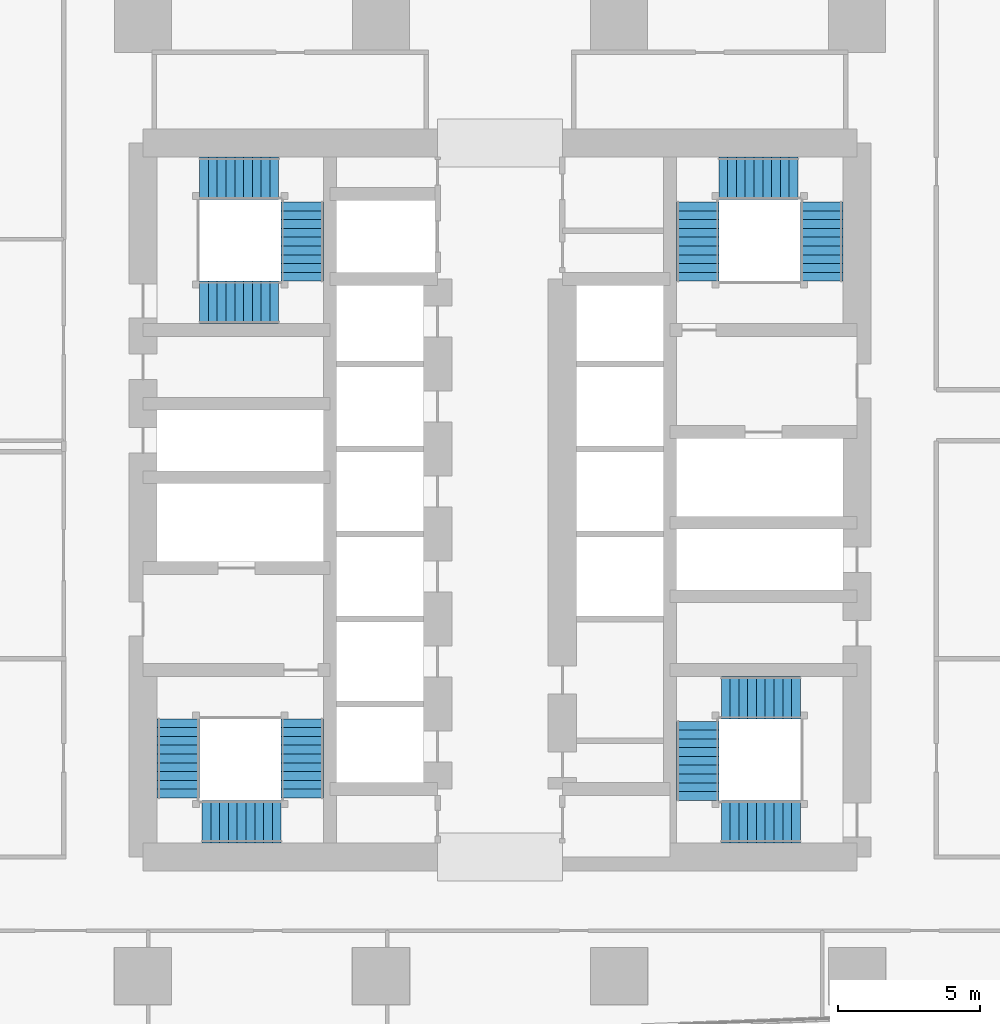
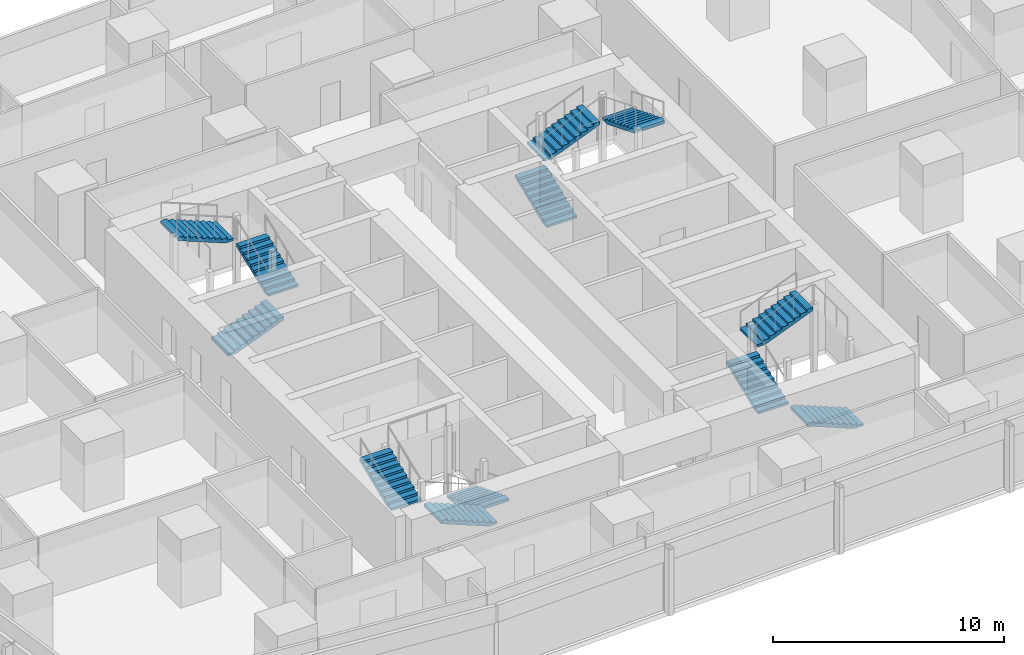
# One storey, part 32 of 39: 12 stair flights, 4 elements without a shape of their own.
"""IFC4 building model written with IfcOpenShell, lengths in metres."""

from ifc_helpers import new_model, si_unit, direction, frame, origin, place, context, subcontext, project, spatial, polyline, outline, extrude, material, type_object, element, aggregate, save


model = new_model("IFC4")

# Units and contexts
model_context = context("Model", 3, precision=1e-05, world=origin(), true_north=direction((0.0, 1.0)))
body_context = subcontext(model_context, "Body", "Model", "MODEL_VIEW")
ifc_project = project(units=[si_unit("LENGTHUNIT", "METRE"), si_unit("AREAUNIT", "SQUARE_METRE"), si_unit("VOLUMEUNIT", "CUBIC_METRE"), si_unit("PLANEANGLEUNIT", "RADIAN"), si_unit("MASSUNIT", "GRAM", prefix="KILO")], contexts=[model_context])

# Site, building, storey
site_placement = place(None, origin())
site = spatial("IfcSite", under=ifc_project, at=site_placement, CompositionType="ELEMENT")
building_placement = place(site_placement, origin())
building = spatial("IfcBuilding", under=site, at=building_placement, Name="Rekha Terrace Tower", CompositionType="ELEMENT")
storey_placement = place(building_placement, frame((0.0, 0.0, 151.550048828125)))
storey = spatial("IfcBuildingStorey", under=building, at=storey_placement, Name="L38", CompositionType="ELEMENT", Elevation=151.550048828125)

# Stair, stair flights
ifc_material = material(Name="Concrete M40", Category="concrete")
stair_type = type_object("IfcStairType", Name="ST30 stair, 30 risers of 125, going 310, 1500 wide flights, 3 flights", PredefinedType="HALF_TURN_STAIR", material=ifc_material)
stair_1_placement = place(storey_placement, origin())
stair_1 = element("IfcStair", 1, at=stair_1_placement, inside=storey, type_object=stair_type, Name="Stair ST1 L38 to L39", PredefinedType="HALF_TURN_STAIR")
stair_flight_type = type_object("IfcStairFlightType", Name="SF10 stair flight, 10 risers of 125, going 310, 1500 wide", PredefinedType="STRAIGHT", material=ifc_material)
stair_flight_1_placement = place(storey_placement, frame((30.824951171875, 25.875, 0.0), z_axis=(0.0, 0.0, 1.0), x_axis=(0.0, -1.0, 0.0)))
stair_flight_1 = element("IfcStairFlight", 2, at=stair_flight_1_placement, type_object=stair_flight_type, Name="ST1 flight 1", NumberOfRisers=10, NumberOfTreads=9, PredefinedType="STRAIGHT", RiserHeight=0.125, TreadLength=0.31, context=body_context, shape_type="SweptSolid", body=[
    extrude(outline(polyline([(0.0, 0.0), (0.0, 0.125), (0.31005859375, 0.125), (0.31005859375, 0.25), (0.6201171875, 0.25), (0.6201171875, 0.375), (0.929931640625, 0.375), (0.929931640625, 0.5), (1.239990234375, 0.5), (1.239990234375, 0.625), (1.550048828125, 0.625), (1.550048828125, 0.75), (1.860107421875, 0.75), (1.860107421875, 0.875), (2.169921875, 0.875), (2.169921875, 1.0), (2.47998046875, 1.0), (2.47998046875, 1.125), (2.7900390625, 1.125), (2.7900390625, 1.25), (2.7900390625, 0.96337890625), (0.40087890625, 0.0), (0.0, 0.0)])), frame((0.0, 0.75, 0.0), z_axis=(0.0, -1.0, 0.0), x_axis=(1.0, 0.0, 0.0)), (0.0, 0.0, 1.0), 1.5),
])
stair_flight_2_placement = place(storey_placement, frame((30.074951171875, 22.25, 1.25), z_axis=(0.0, 0.0, 1.0), x_axis=(-1.0, 0.0, 0.0)))
stair_flight_2 = element("IfcStairFlight", 3, at=stair_flight_2_placement, type_object=stair_flight_type, Name="ST1 flight 2", NumberOfRisers=10, NumberOfTreads=9, PredefinedType="STRAIGHT", RiserHeight=0.125, TreadLength=0.31, context=body_context, shape_type="SweptSolid", body=[
    extrude(outline(polyline([(0.0, 0.0), (0.0, 0.125), (0.31005859375, 0.125), (0.31005859375, 0.25), (0.6201171875, 0.25), (0.6201171875, 0.375), (0.929931640625, 0.375), (0.929931640625, 0.5), (1.239990234375, 0.5), (1.239990234375, 0.625), (1.550048828125, 0.625), (1.550048828125, 0.75), (1.860107421875, 0.75), (1.860107421875, 0.875), (2.169921875, 0.875), (2.169921875, 1.0), (2.47998046875, 1.0), (2.47998046875, 1.125), (2.7900390625, 1.125), (2.7900390625, 1.25), (2.7900390625, 0.96337890625), (0.40087890625, 0.0), (0.0, 0.0)])), frame((0.0, 0.75, 0.0), z_axis=(0.0, -1.0, 0.0), x_axis=(1.0, 0.0, 0.0)), (0.0, 0.0, 1.0), 1.5),
])
stair_flight_3_placement = place(storey_placement, frame((26.449951171875, 23.0849609375, 2.5), z_axis=(0.0, 0.0, 1.0), x_axis=(0.0, 1.0, 0.0)))
stair_flight_3 = element("IfcStairFlight", 4, at=stair_flight_3_placement, type_object=stair_flight_type, Name="ST1 flight 3", NumberOfRisers=10, NumberOfTreads=9, PredefinedType="STRAIGHT", RiserHeight=0.125, TreadLength=0.31, context=body_context, shape_type="SweptSolid", body=[
    extrude(outline(polyline([(0.0, 0.0), (0.0, 0.125), (0.31005859375, 0.125), (0.31005859375, 0.25), (0.6201171875, 0.25), (0.6201171875, 0.375), (0.929931640625, 0.375), (0.929931640625, 0.5), (1.239990234375, 0.5), (1.239990234375, 0.625), (1.550048828125, 0.625), (1.550048828125, 0.75), (1.860107421875, 0.75), (1.860107421875, 0.875), (2.169921875, 0.875), (2.169921875, 1.0), (2.47998046875, 1.0), (2.47998046875, 1.125), (2.7900390625, 1.125), (2.7900390625, 1.25), (2.7900390625, 0.96337890625), (0.40087890625, 0.0), (0.0, 0.0)])), frame((0.0, 0.75, 0.0), z_axis=(0.0, -1.0, 0.0), x_axis=(1.0, 0.0, 0.0)), (0.0, 0.0, 1.0), 1.5),
])
aggregate(stair_1, [stair_flight_1, stair_flight_2, stair_flight_3])

stair_2_placement = place(storey_placement, origin())
stair_2 = element("IfcStair", 5, at=stair_2_placement, inside=storey, type_object=stair_type, Name="Stair ST2 L38 to L39", PredefinedType="HALF_TURN_STAIR")
stair_flight_4_placement = place(storey_placement, frame((44.77490234375, 41.324951171875, 0.0), z_axis=(0.0, 0.0, 1.0), x_axis=(0.0, 1.0, 0.0)))
stair_flight_4 = element("IfcStairFlight", 6, at=stair_flight_4_placement, type_object=stair_flight_type, Name="ST2 flight 1", NumberOfRisers=10, NumberOfTreads=9, PredefinedType="STRAIGHT", RiserHeight=0.125, TreadLength=0.31, context=body_context, shape_type="SweptSolid", body=[
    extrude(outline(polyline([(0.0, 0.0), (0.0, 0.125), (0.31005859375, 0.125), (0.31005859375, 0.25), (0.6201171875, 0.25), (0.6201171875, 0.375), (0.929931640625, 0.375), (0.929931640625, 0.5), (1.239990234375, 0.5), (1.239990234375, 0.625), (1.550048828125, 0.625), (1.550048828125, 0.75), (1.860107421875, 0.75), (1.860107421875, 0.875), (2.169921875, 0.875), (2.169921875, 1.0), (2.47998046875, 1.0), (2.47998046875, 1.125), (2.7900390625, 1.125), (2.7900390625, 1.25), (2.7900390625, 0.96337890625), (0.40087890625, 0.0), (0.0, 0.0)])), frame((0.0, 0.75, 0.0), z_axis=(0.0, -1.0, 0.0), x_axis=(1.0, 0.0, 0.0)), (0.0, 0.0, 1.0), 1.5),
])
stair_flight_5_placement = place(storey_placement, frame((45.52490234375, 44.949951171875, 1.25), z_axis=(0.0, 0.0, 1.0), x_axis=(1.0, 0.0, 0.0)))
stair_flight_5 = element("IfcStairFlight", 7, at=stair_flight_5_placement, type_object=stair_flight_type, Name="ST2 flight 2", NumberOfRisers=10, NumberOfTreads=9, PredefinedType="STRAIGHT", RiserHeight=0.125, TreadLength=0.31, context=body_context, shape_type="SweptSolid", body=[
    extrude(outline(polyline([(0.0, 0.0), (0.0, 0.125), (0.31005859375, 0.125), (0.31005859375, 0.25), (0.6201171875, 0.25), (0.6201171875, 0.375), (0.929931640625, 0.375), (0.929931640625, 0.5), (1.239990234375, 0.5), (1.239990234375, 0.625), (1.550048828125, 0.625), (1.550048828125, 0.75), (1.860107421875, 0.75), (1.860107421875, 0.875), (2.169921875, 0.875), (2.169921875, 1.0), (2.47998046875, 1.0), (2.47998046875, 1.125), (2.7900390625, 1.125), (2.7900390625, 1.25), (2.7900390625, 0.96337890625), (0.40087890625, 0.0), (0.0, 0.0)])), frame((0.0, 0.75, 0.0), z_axis=(0.0, -1.0, 0.0), x_axis=(1.0, 0.0, 0.0)), (0.0, 0.0, 1.0), 1.5),
])
stair_flight_6_placement = place(storey_placement, frame((49.14990234375, 44.114990234375, 2.5), z_axis=(0.0, 0.0, 1.0), x_axis=(0.0, -1.0, 0.0)))
stair_flight_6 = element("IfcStairFlight", 8, at=stair_flight_6_placement, type_object=stair_flight_type, Name="ST2 flight 3", NumberOfRisers=10, NumberOfTreads=9, PredefinedType="STRAIGHT", RiserHeight=0.125, TreadLength=0.31, context=body_context, shape_type="SweptSolid", body=[
    extrude(outline(polyline([(0.0, 0.0), (0.0, 0.125), (0.31005859375, 0.125), (0.31005859375, 0.25), (0.6201171875, 0.25), (0.6201171875, 0.375), (0.929931640625, 0.375), (0.929931640625, 0.5), (1.239990234375, 0.5), (1.239990234375, 0.625), (1.550048828125, 0.625), (1.550048828125, 0.75), (1.860107421875, 0.75), (1.860107421875, 0.875), (2.169921875, 0.875), (2.169921875, 1.0), (2.47998046875, 1.0), (2.47998046875, 1.125), (2.7900390625, 1.125), (2.7900390625, 1.25), (2.7900390625, 0.96337890625), (0.40087890625, 0.0), (0.0, 0.0)])), frame((0.0, 0.75, 0.0), z_axis=(0.0, -1.0, 0.0), x_axis=(1.0, 0.0, 0.0)), (0.0, 0.0, 1.0), 1.5),
])
aggregate(stair_2, [stair_flight_4, stair_flight_5, stair_flight_6])

stair_3_placement = place(storey_placement, origin())
stair_3 = element("IfcStair", 9, at=stair_3_placement, inside=storey, type_object=stair_type, Name="Stair ST3 L38 to L39", PredefinedType="HALF_TURN_STAIR")
stair_flight_7_placement = place(storey_placement, frame((48.39990234375, 22.25, 0.0), z_axis=(0.0, 0.0, 1.0), x_axis=(-1.0, 0.0, 0.0)))
stair_flight_7 = element("IfcStairFlight", 10, at=stair_flight_7_placement, type_object=stair_flight_type, Name="ST3 flight 1", NumberOfRisers=10, NumberOfTreads=9, PredefinedType="STRAIGHT", RiserHeight=0.125, TreadLength=0.31, context=body_context, shape_type="SweptSolid", body=[
    extrude(outline(polyline([(0.0, 0.0), (0.0, 0.125), (0.31005859375, 0.125), (0.31005859375, 0.25), (0.6201171875, 0.25), (0.6201171875, 0.375), (0.929931640625, 0.375), (0.929931640625, 0.5), (1.239990234375, 0.5), (1.239990234375, 0.625), (1.550048828125, 0.625), (1.550048828125, 0.75), (1.860107421875, 0.75), (1.860107421875, 0.875), (2.169921875, 0.875), (2.169921875, 1.0), (2.47998046875, 1.0), (2.47998046875, 1.125), (2.7900390625, 1.125), (2.7900390625, 1.25), (2.7900390625, 0.96337890625), (0.40087890625, 0.0), (0.0, 0.0)])), frame((0.0, 0.75, 0.0), z_axis=(0.0, -1.0, 0.0), x_axis=(1.0, 0.0, 0.0)), (0.0, 0.0, 1.0), 1.5),
])
stair_flight_8_placement = place(storey_placement, frame((44.77490234375, 23.0, 1.25), z_axis=(0.0, 0.0, 1.0), x_axis=(0.0, 1.0, 0.0)))
stair_flight_8 = element("IfcStairFlight", 11, at=stair_flight_8_placement, type_object=stair_flight_type, Name="ST3 flight 2", NumberOfRisers=10, NumberOfTreads=9, PredefinedType="STRAIGHT", RiserHeight=0.125, TreadLength=0.31, context=body_context, shape_type="SweptSolid", body=[
    extrude(outline(polyline([(0.0, 0.0), (0.0, 0.125), (0.31005859375, 0.125), (0.31005859375, 0.25), (0.6201171875, 0.25), (0.6201171875, 0.375), (0.929931640625, 0.375), (0.929931640625, 0.5), (1.239990234375, 0.5), (1.239990234375, 0.625), (1.550048828125, 0.625), (1.550048828125, 0.75), (1.860107421875, 0.75), (1.860107421875, 0.875), (2.169921875, 0.875), (2.169921875, 1.0), (2.47998046875, 1.0), (2.47998046875, 1.125), (2.7900390625, 1.125), (2.7900390625, 1.25), (2.7900390625, 0.96337890625), (0.40087890625, 0.0), (0.0, 0.0)])), frame((0.0, 0.75, 0.0), z_axis=(0.0, -1.0, 0.0), x_axis=(1.0, 0.0, 0.0)), (0.0, 0.0, 1.0), 1.5),
])
stair_flight_9_placement = place(storey_placement, frame((45.610107421875, 26.625, 2.5), z_axis=(0.0, 0.0, 1.0), x_axis=(1.0, 0.0, 0.0)))
stair_flight_9 = element("IfcStairFlight", 12, at=stair_flight_9_placement, type_object=stair_flight_type, Name="ST3 flight 3", NumberOfRisers=10, NumberOfTreads=9, PredefinedType="STRAIGHT", RiserHeight=0.125, TreadLength=0.31, context=body_context, shape_type="SweptSolid", body=[
    extrude(outline(polyline([(0.0, 0.0), (0.0, 0.125), (0.31005859375, 0.125), (0.31005859375, 0.25), (0.6201171875, 0.25), (0.6201171875, 0.375), (0.929931640625, 0.375), (0.929931640625, 0.5), (1.239990234375, 0.5), (1.239990234375, 0.625), (1.550048828125, 0.625), (1.550048828125, 0.75), (1.860107421875, 0.75), (1.860107421875, 0.875), (2.169921875, 0.875), (2.169921875, 1.0), (2.47998046875, 1.0), (2.47998046875, 1.125), (2.7900390625, 1.125), (2.7900390625, 1.25), (2.7900390625, 0.96337890625), (0.40087890625, 0.0), (0.0, 0.0)])), frame((0.0, 0.75, 0.0), z_axis=(0.0, -1.0, 0.0), x_axis=(1.0, 0.0, 0.0)), (0.0, 0.0, 1.0), 1.5),
])
aggregate(stair_3, [stair_flight_7, stair_flight_8, stair_flight_9])

stair_4_placement = place(storey_placement, origin())
stair_4 = element("IfcStair", 13, at=stair_4_placement, inside=storey, type_object=stair_type, Name="Stair ST4 L38 to L39", PredefinedType="HALF_TURN_STAIR")
stair_flight_10_placement = place(storey_placement, frame((27.199951171875, 40.574951171875, 0.0), z_axis=(0.0, 0.0, 1.0), x_axis=(1.0, 0.0, 0.0)))
stair_flight_10 = element("IfcStairFlight", 14, at=stair_flight_10_placement, type_object=stair_flight_type, Name="ST4 flight 1", NumberOfRisers=10, NumberOfTreads=9, PredefinedType="STRAIGHT", RiserHeight=0.125, TreadLength=0.31, context=body_context, shape_type="SweptSolid", body=[
    extrude(outline(polyline([(0.0, 0.0), (0.0, 0.125), (0.31005859375, 0.125), (0.31005859375, 0.25), (0.6201171875, 0.25), (0.6201171875, 0.375), (0.929931640625, 0.375), (0.929931640625, 0.5), (1.239990234375, 0.5), (1.239990234375, 0.625), (1.550048828125, 0.625), (1.550048828125, 0.75), (1.860107421875, 0.75), (1.860107421875, 0.875), (2.169921875, 0.875), (2.169921875, 1.0), (2.47998046875, 1.0), (2.47998046875, 1.125), (2.7900390625, 1.125), (2.7900390625, 1.25), (2.7900390625, 0.96337890625), (0.40087890625, 0.0), (0.0, 0.0)])), frame((0.0, 0.75, 0.0), z_axis=(0.0, -1.0, 0.0), x_axis=(1.0, 0.0, 0.0)), (0.0, 0.0, 1.0), 1.5),
])
stair_flight_11_placement = place(storey_placement, frame((30.824951171875, 41.324951171875, 1.25), z_axis=(0.0, 0.0, 1.0), x_axis=(0.0, 1.0, 0.0)))
stair_flight_11 = element("IfcStairFlight", 15, at=stair_flight_11_placement, type_object=stair_flight_type, Name="ST4 flight 2", NumberOfRisers=10, NumberOfTreads=9, PredefinedType="STRAIGHT", RiserHeight=0.125, TreadLength=0.31, context=body_context, shape_type="SweptSolid", body=[
    extrude(outline(polyline([(0.0, 0.0), (0.0, 0.125), (0.31005859375, 0.125), (0.31005859375, 0.25), (0.6201171875, 0.25), (0.6201171875, 0.375), (0.929931640625, 0.375), (0.929931640625, 0.5), (1.239990234375, 0.5), (1.239990234375, 0.625), (1.550048828125, 0.625), (1.550048828125, 0.75), (1.860107421875, 0.75), (1.860107421875, 0.875), (2.169921875, 0.875), (2.169921875, 1.0), (2.47998046875, 1.0), (2.47998046875, 1.125), (2.7900390625, 1.125), (2.7900390625, 1.25), (2.7900390625, 0.96337890625), (0.40087890625, 0.0), (0.0, 0.0)])), frame((0.0, 0.75, 0.0), z_axis=(0.0, -1.0, 0.0), x_axis=(1.0, 0.0, 0.0)), (0.0, 0.0, 1.0), 1.5),
])
stair_flight_12_placement = place(storey_placement, frame((29.989990234375, 44.949951171875, 2.5), z_axis=(0.0, 0.0, 1.0), x_axis=(-1.0, 0.0, 0.0)))
stair_flight_12 = element("IfcStairFlight", 16, at=stair_flight_12_placement, type_object=stair_flight_type, Name="ST4 flight 3", NumberOfRisers=10, NumberOfTreads=9, PredefinedType="STRAIGHT", RiserHeight=0.125, TreadLength=0.31, context=body_context, shape_type="SweptSolid", body=[
    extrude(outline(polyline([(0.0, 0.0), (0.0, 0.125), (0.31005859375, 0.125), (0.31005859375, 0.25), (0.6201171875, 0.25), (0.6201171875, 0.375), (0.929931640625, 0.375), (0.929931640625, 0.5), (1.239990234375, 0.5), (1.239990234375, 0.625), (1.550048828125, 0.625), (1.550048828125, 0.75), (1.860107421875, 0.75), (1.860107421875, 0.875), (2.169921875, 0.875), (2.169921875, 1.0), (2.47998046875, 1.0), (2.47998046875, 1.125), (2.7900390625, 1.125), (2.7900390625, 1.25), (2.7900390625, 0.96337890625), (0.40087890625, 0.0), (0.0, 0.0)])), frame((0.0, 0.75, 0.0), z_axis=(0.0, -1.0, 0.0), x_axis=(1.0, 0.0, 0.0)), (0.0, 0.0, 1.0), 1.5),
])
aggregate(stair_4, [stair_flight_10, stair_flight_11, stair_flight_12])

save(model, "model.ifc")
